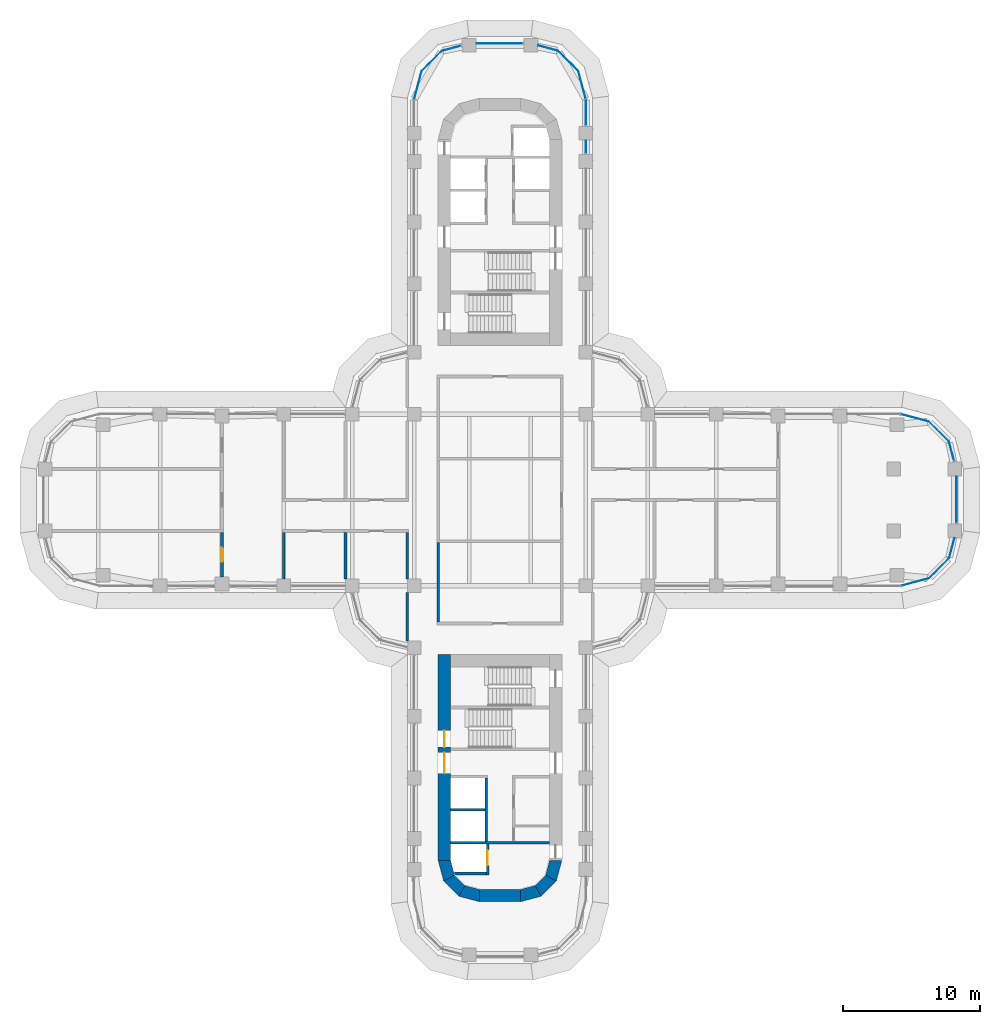
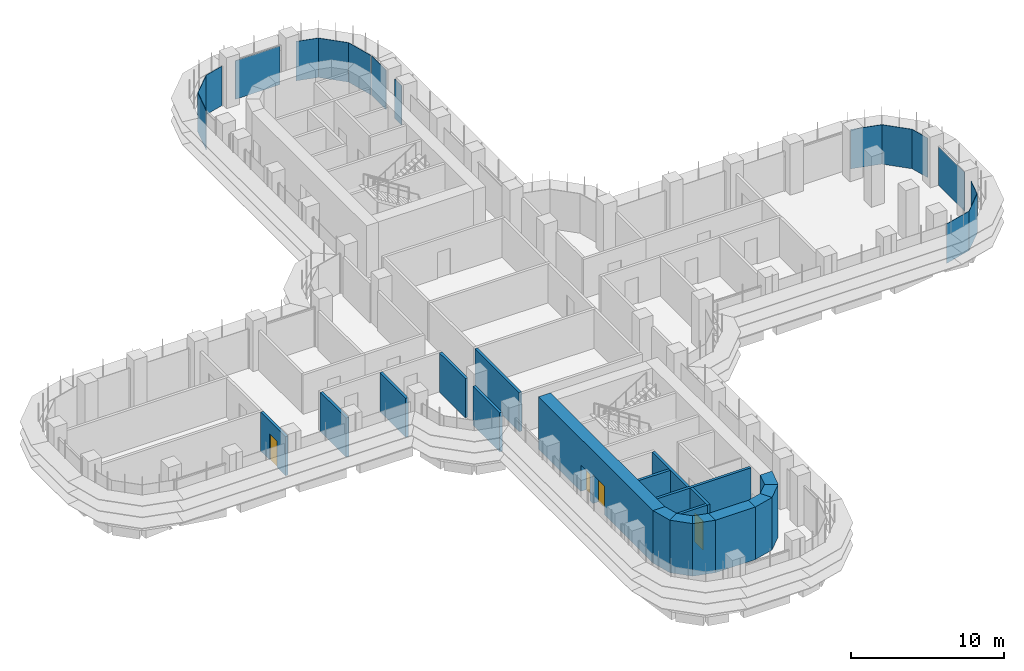
# One storey, part 16 of 23: 19 walls, 16 plates, 4 doors, 4 openings, 15 elements without a shape of their own.
"""IFC4 building model written with IfcOpenShell, lengths in metres."""

from ifc_helpers import new_model, si_unit, direction, frame, frame_2d, origin, place, context, subcontext, project, spatial, polyline, rectangle, outline, extrude, source, transform, mapped, material, layer, layer_set, type_object, element, fill, aggregate, save


model = new_model("IFC4")

# Units and contexts
model_context = context("Model", 3, precision=1e-05, world=origin(), true_north=direction((0.0, 1.0)))
body_context = subcontext(model_context, "Body", "Model", "MODEL_VIEW")
ifc_project = project(units=[si_unit("LENGTHUNIT", "METRE"), si_unit("AREAUNIT", "SQUARE_METRE"), si_unit("VOLUMEUNIT", "CUBIC_METRE"), si_unit("PLANEANGLEUNIT", "RADIAN"), si_unit("MASSUNIT", "GRAM", prefix="KILO")], contexts=[model_context])

# Site, building, storey
site_placement = place(None, origin())
site = spatial("IfcSite", under=ifc_project, at=site_placement, CompositionType="ELEMENT")
building_placement = place(site_placement, origin())
building = spatial("IfcBuilding", under=site, at=building_placement, Name="Zarbagh Exchange Tower", CompositionType="ELEMENT")
storey_placement = place(building_placement, frame((0.0, 0.0, 35.39990234375)))
storey = spatial("IfcBuildingStorey", under=building, at=storey_placement, Name="L07", CompositionType="ELEMENT", Elevation=35.39990234375)

# Curtain wall, plate
ifc_material_1 = material(Name="Anodised aluminium frame and glazing", Category="aluminium")
curtain_wall_type = type_object("IfcCurtainWallType", Name="CWA Ribbon glazing, lower zones", PredefinedType="NOTDEFINED", material=ifc_material_1)
curtain_wall_1_placement = place(storey_placement, origin())
curtain_wall_1 = element("IfcCurtainWall", 1, at=curtain_wall_1_placement, inside=storey, type_object=curtain_wall_type, Name="CWA13 curtain wall", PredefinedType="NOTDEFINED")
ifc_material_2 = material(Name="Low-e double glazed unit, 6+12+6 mm")
ifc_layer_1 = layer(ifc_material_2, 0.028076171875)
ifc_layer_set_1 = layer_set([ifc_layer_1], Name="PAA Glazing panel, Low-e double glazed unit, 6+12+6 mm")
plate_type = type_object("IfcPlateType", Name="PAA Glazing panel, Low-e double glazed unit, 6+12+6 mm", PredefinedType="CURTAIN_PANEL", material=ifc_layer_set_1)
shared_shape_1 = source(origin(), body_context, "Body", "SweptSolid", [
    extrude(outline(polyline([(0.0, -0.013916015625), (1.4423828125, -0.013916015625), (1.4423828125, 0.013916015625), (0.0, 0.013916015625), (0.0, -0.013916015625)])), origin(), (0.0, 0.0, 1.0), 3.14990234375),
])
placement = place(storey_placement, origin())
plate_1 = element("IfcPlate", 2, at=placement, type_object=plate_type, Name="CWA13 glazing panel 1.1", PredefinedType="CURTAIN_PANEL", context=body_context, shape_type="MappedRepresentation", body=[
    mapped(shared_shape_1, transform((33.072021484375, 2.847900390625, 0.0), x_axis=(-0.258824779902, 0.965924289636, 0.0), y_axis=(-0.965924289636, -0.258824779902, 0.0), z_axis=(0.0, 0.0, 1.0))),
])
aggregate(curtain_wall_1, [plate_1])

curtain_wall_2_placement = place(storey_placement, origin())
curtain_wall_2 = element("IfcCurtainWall", 3, at=curtain_wall_2_placement, inside=storey, type_object=curtain_wall_type, Name="CWA25 curtain wall", PredefinedType="NOTDEFINED")
plate_2 = element("IfcPlate", 4, at=placement, type_object=plate_type, Name="CWA25 glazing panel 1.1", PredefinedType="CURTAIN_PANEL", context=body_context, shape_type="MappedRepresentation", body=[
    mapped(shared_shape_1, transform((-2.847900390625, 33.072021484375, 0.0), x_axis=(-0.965924289636, -0.258824779902, 0.0), y_axis=(0.258824779902, -0.965924289636, 0.0), z_axis=(0.0, 0.0, 1.0))),
])
aggregate(curtain_wall_2, [plate_2])

curtain_wall_3_placement = place(storey_placement, origin())
curtain_wall_3 = element("IfcCurtainWall", 5, at=curtain_wall_3_placement, inside=storey, type_object=curtain_wall_type, Name="CWA10 curtain wall", PredefinedType="NOTDEFINED")
shared_shape_2 = source(origin(), body_context, "Body", "SweptSolid", [
    extrude(outline(polyline([(0.0, -0.013916015625), (2.061279296875, -0.013916015625), (2.061279296875, 0.013916015625), (0.0, 0.013916015625), (0.0, -0.013916015625)])), origin(), (0.0, 0.0, 1.0), 3.14990234375),
])
plate_3 = element("IfcPlate", 6, at=placement, type_object=plate_type, Name="CWA10 glazing panel 1.1", PredefinedType="CURTAIN_PANEL", context=body_context, shape_type="MappedRepresentation", body=[
    mapped(shared_shape_2, transform((31.2412109375, -5.69873046875, 0.0), x_axis=(0.707106781187, 0.707106781187, 0.0), y_axis=(-0.707106781187, 0.707106781187, 0.0), z_axis=(0.0, 0.0, 1.0))),
])
aggregate(curtain_wall_3, [plate_3])

curtain_wall_4_placement = place(storey_placement, origin())
curtain_wall_4 = element("IfcCurtainWall", 7, at=curtain_wall_4_placement, inside=storey, type_object=curtain_wall_type, Name="CWA14 curtain wall", PredefinedType="NOTDEFINED")
plate_4 = element("IfcPlate", 8, at=placement, type_object=plate_type, Name="CWA14 glazing panel 1.1", PredefinedType="CURTAIN_PANEL", context=body_context, shape_type="MappedRepresentation", body=[
    mapped(shared_shape_2, transform((32.69873046875, 4.2412109375, 0.0), x_axis=(-0.707106781187, 0.707106781187, 0.0), y_axis=(-0.707106781187, -0.707106781187, 0.0), z_axis=(0.0, 0.0, 1.0))),
])
aggregate(curtain_wall_4, [plate_4])

curtain_wall_5_placement = place(storey_placement, origin())
curtain_wall_5 = element("IfcCurtainWall", 9, at=curtain_wall_5_placement, inside=storey, type_object=curtain_wall_type, Name="CWA22 curtain wall", PredefinedType="NOTDEFINED")
plate_5 = element("IfcPlate", 10, at=placement, type_object=plate_type, Name="CWA22 glazing panel 1.1", PredefinedType="CURTAIN_PANEL", context=body_context, shape_type="MappedRepresentation", body=[
    mapped(shared_shape_2, transform((5.69873046875, 31.2412109375, 0.0), x_axis=(-0.707106781187, 0.707106781187, 0.0), y_axis=(-0.707106781187, -0.707106781187, 0.0), z_axis=(0.0, 0.0, 1.0))),
])
aggregate(curtain_wall_5, [plate_5])

curtain_wall_6_placement = place(storey_placement, origin())
curtain_wall_6 = element("IfcCurtainWall", 11, at=curtain_wall_6_placement, inside=storey, type_object=curtain_wall_type, Name="CWA26 curtain wall", PredefinedType="NOTDEFINED")
plate_6 = element("IfcPlate", 12, at=placement, type_object=plate_type, Name="CWA26 glazing panel 1.1", PredefinedType="CURTAIN_PANEL", context=body_context, shape_type="MappedRepresentation", body=[
    mapped(shared_shape_2, transform((-4.2412109375, 32.69873046875, 0.0), x_axis=(-0.707106781187, -0.707106781187, 0.0), y_axis=(0.707106781187, -0.707106781187, 0.0), z_axis=(0.0, 0.0, 1.0))),
])
aggregate(curtain_wall_6, [plate_6])

curtain_wall_7_placement = place(storey_placement, origin())
curtain_wall_7 = element("IfcCurtainWall", 13, at=curtain_wall_7_placement, inside=storey, type_object=curtain_wall_type, Name="CWA15 curtain wall", PredefinedType="NOTDEFINED")
shared_shape_3 = source(origin(), body_context, "Body", "SweptSolid", [
    extrude(outline(polyline([(0.0, -0.013916015625), (2.129638671875, -0.013916015625), (2.129638671875, 0.013916015625), (0.0, 0.013916015625), (0.0, -0.013916015625)])), origin(), (0.0, 0.0, 1.0), 3.14990234375),
])
plate_7 = element("IfcPlate", 14, at=placement, type_object=plate_type, Name="CWA15 glazing panel 1.1", PredefinedType="CURTAIN_PANEL", context=body_context, shape_type="MappedRepresentation", body=[
    mapped(shared_shape_3, transform((31.2412109375, 5.69873046875, 0.0), x_axis=(-0.965924289636, 0.258824779902, 0.0), y_axis=(-0.258824779902, -0.965924289636, 0.0), z_axis=(0.0, 0.0, 1.0))),
])
aggregate(curtain_wall_7, [plate_7])

curtain_wall_8_placement = place(storey_placement, origin())
curtain_wall_8 = element("IfcCurtainWall", 15, at=curtain_wall_8_placement, inside=storey, type_object=curtain_wall_type, Name="CWA27 curtain wall", PredefinedType="NOTDEFINED")
plate_8 = element("IfcPlate", 16, at=placement, type_object=plate_type, Name="CWA27 glazing panel 1.1", PredefinedType="CURTAIN_PANEL", context=body_context, shape_type="MappedRepresentation", body=[
    mapped(shared_shape_3, transform((-5.69873046875, 31.2412109375, 0.0), x_axis=(-0.258824779902, -0.965924289636, 0.0), y_axis=(0.965924289636, -0.258824779902, 0.0), z_axis=(0.0, 0.0, 1.0))),
])
aggregate(curtain_wall_8, [plate_8])

curtain_wall_9_placement = place(storey_placement, origin())
curtain_wall_9 = element("IfcCurtainWall", 17, at=curtain_wall_9_placement, inside=storey, type_object=curtain_wall_type, Name="CWA09 curtain wall", PredefinedType="NOTDEFINED")
shared_shape_4 = source(origin(), body_context, "Body", "SweptSolid", [
    extrude(outline(polyline([(0.0, -0.013916015625), (2.069580078125, -0.013916015625), (2.069580078125, 0.013916015625), (0.0, 0.013916015625), (0.0, -0.013916015625)])), origin(), (0.0, 0.0, 1.0), 3.14990234375),
])
plate_9 = element("IfcPlate", 18, at=placement, type_object=plate_type, Name="CWA09 glazing panel 1.1", PredefinedType="CURTAIN_PANEL", context=body_context, shape_type="MappedRepresentation", body=[
    mapped(shared_shape_4, transform((29.2421875, -6.234375, 0.0), x_axis=(0.965924289636, 0.258824779902, 0.0), y_axis=(-0.258824779902, 0.965924289636, 0.0), z_axis=(0.0, 0.0, 1.0))),
])
aggregate(curtain_wall_9, [plate_9])

curtain_wall_10_placement = place(storey_placement, origin())
curtain_wall_10 = element("IfcCurtainWall", 19, at=curtain_wall_10_placement, inside=storey, type_object=curtain_wall_type, Name="CWA21 curtain wall", PredefinedType="NOTDEFINED")
plate_10 = element("IfcPlate", 20, at=placement, type_object=plate_type, Name="CWA21 glazing panel 1.1", PredefinedType="CURTAIN_PANEL", context=body_context, shape_type="MappedRepresentation", body=[
    mapped(shared_shape_4, transform((6.234375, 29.2421875, 0.0), x_axis=(-0.258824779902, 0.965924289636, 0.0), y_axis=(-0.965924289636, -0.258824779902, 0.0), z_axis=(0.0, 0.0, 1.0))),
])
aggregate(curtain_wall_10, [plate_10])

curtain_wall_11_placement = place(storey_placement, origin())
curtain_wall_11 = element("IfcCurtainWall", 21, at=curtain_wall_11_placement, inside=storey, type_object=curtain_wall_type, Name="CWA11 curtain wall", PredefinedType="NOTDEFINED")
shared_shape_5 = source(origin(), body_context, "Body", "SweptSolid", [
    extrude(outline(polyline([(0.0, -0.013916015625), (1.50244140625, -0.013916015625), (1.50244140625, 0.013916015625), (0.0, 0.013916015625), (0.0, -0.013916015625)])), origin(), (0.0, 0.0, 1.0), 3.14990234375),
])
plate_11 = element("IfcPlate", 22, at=placement, type_object=plate_type, Name="CWA11 glazing panel 1.1", PredefinedType="CURTAIN_PANEL", context=body_context, shape_type="MappedRepresentation", body=[
    mapped(shared_shape_5, transform((32.69873046875, -4.2412109375, 0.0), x_axis=(0.258824779902, 0.965924289636, 0.0), y_axis=(-0.965924289636, 0.258824779902, 0.0), z_axis=(0.0, 0.0, 1.0))),
])
aggregate(curtain_wall_11, [plate_11])

curtain_wall_12_placement = place(storey_placement, origin())
curtain_wall_12 = element("IfcCurtainWall", 23, at=curtain_wall_12_placement, inside=storey, type_object=curtain_wall_type, Name="CWA23 curtain wall", PredefinedType="NOTDEFINED")
plate_12 = element("IfcPlate", 24, at=placement, type_object=plate_type, Name="CWA23 glazing panel 1.1", PredefinedType="CURTAIN_PANEL", context=body_context, shape_type="MappedRepresentation", body=[
    mapped(shared_shape_5, transform((4.2412109375, 32.69873046875, 0.0), x_axis=(-0.965924289636, 0.258824779902, 0.0), y_axis=(-0.258824779902, -0.965924289636, 0.0), z_axis=(0.0, 0.0, 1.0))),
])
aggregate(curtain_wall_12, [plate_12])

curtain_wall_13_placement = place(storey_placement, origin())
curtain_wall_13 = element("IfcCurtainWall", 25, at=curtain_wall_13_placement, inside=storey, type_object=curtain_wall_type, Name="CWA12 curtain wall", PredefinedType="NOTDEFINED")
shared_shape_6 = source(origin(), body_context, "Body", "SweptSolid", [
    extrude(outline(polyline([(0.0, -0.013916015625), (3.360107421875, -0.013916015625), (3.360107421875, 0.013916015625), (0.0, 0.013916015625), (0.0, -0.013916015625)])), origin(), (0.0, 0.0, 1.0), 3.090087890625),
])
plate_13 = element("IfcPlate", 26, at=placement, type_object=plate_type, Name="CWA12 glazing panel 1.1", PredefinedType="CURTAIN_PANEL", context=body_context, shape_type="MappedRepresentation", body=[
    mapped(shared_shape_6, transform((33.25, -1.64990234375, 0.0), x_axis=(0.0, 1.0, 0.0), y_axis=(-1.0, 0.0, 0.0), z_axis=(0.0, 0.0, 1.0))),
])
aggregate(curtain_wall_13, [plate_13])

curtain_wall_14_placement = place(storey_placement, origin())
curtain_wall_14 = element("IfcCurtainWall", 27, at=curtain_wall_14_placement, inside=storey, type_object=curtain_wall_type, Name="CWA24 curtain wall", PredefinedType="NOTDEFINED")
plate_14 = element("IfcPlate", 28, at=placement, type_object=plate_type, Name="CWA24 glazing panel 1.1", PredefinedType="CURTAIN_PANEL", context=body_context, shape_type="MappedRepresentation", body=[
    mapped(shared_shape_6, transform((1.64990234375, 33.25, 0.0), x_axis=(-1.0, 0.0, 0.0), y_axis=(0.0, -1.0, 0.0), z_axis=(0.0, 0.0, 1.0))),
])
aggregate(curtain_wall_14, [plate_14])

# Curtain wall, plates
curtain_wall_15_placement = place(storey_placement, origin())
curtain_wall_15 = element("IfcCurtainWall", 29, at=curtain_wall_15_placement, inside=storey, type_object=curtain_wall_type, Name="CWA20 curtain wall", PredefinedType="NOTDEFINED")
shared_shape_7 = source(origin(), body_context, "Body", "SweptSolid", [
    extrude(outline(polyline([(0.0, -0.013916015625), (0.909912109375, -0.013916015625), (0.909912109375, 0.013916015625), (0.0, 0.013916015625), (0.0, -0.013916015625)])), origin(), (0.0, 0.0, 1.0), 3.14990234375),
])
plate_15 = element("IfcPlate", 30, at=placement, type_object=plate_type, Name="CWA20 glazing panel 4.1", PredefinedType="CURTAIN_PANEL", context=body_context, shape_type="MappedRepresentation", body=[
    mapped(shared_shape_7, transform((6.25, 25.25, 0.0), x_axis=(0.0, 1.0, 0.0), y_axis=(-1.0, 0.0, 0.0), z_axis=(0.0, 0.0, 1.0))),
])
shared_shape_8 = source(origin(), body_context, "Body", "SweptSolid", [
    extrude(outline(polyline([(0.0, -0.013916015625), (1.884033203125, -0.013916015625), (1.884033203125, 0.013916015625), (0.0, 0.013916015625), (0.0, -0.013916015625)])), origin(), (0.0, 0.0, 1.0), 3.14990234375),
])
plate_16 = element("IfcPlate", 31, at=placement, type_object=plate_type, Name="CWA20 glazing panel 5.1", PredefinedType="CURTAIN_PANEL", context=body_context, shape_type="MappedRepresentation", body=[
    mapped(shared_shape_8, transform((6.25, 27.300048828125, 0.0), x_axis=(0.0, 1.0, 0.0), y_axis=(-1.0, 0.0, 0.0), z_axis=(0.0, 0.0, 1.0))),
])
aggregate(curtain_wall_15, [plate_15, plate_16])

# Walls
ifc_material_3 = material(Name="Fire-rated plasterboard partition")
ifc_layer_2 = layer(ifc_material_3, 0.199951171875)
ifc_layer_set_2 = layer_set([ifc_layer_2], Name="RATED PARTITION 200")
wall_type_1 = type_object("IfcWallType", Name="RATED PARTITION 200", PredefinedType="PARTITIONING", material=ifc_layer_set_2)
wall_1_placement = place(storey_placement, frame((-4.5, -8.89990234375, 0.0), z_axis=(0.0, 0.0, 1.0), x_axis=(0.0, 1.0, 0.0)))
element("IfcWall", 32, at=wall_1_placement, inside=storey, type_object=wall_type_1, Name="Partition W-203", PredefinedType="PARTITIONING", context=body_context, shape_type="SweptSolid", body=[
    extrude(rectangle(XDim=5.7998046875, YDim=0.199951171875, at=frame_2d((2.89990234375, 0.0))), origin(), (0.0, 0.0, 1.0), 3.130615234375),
])
wall_2_placement = place(storey_placement, frame((-6.75, -10.25, 0.0), z_axis=(0.0, 0.0, 1.0), x_axis=(0.0, 1.0, 0.0)))
element("IfcWall", 33, at=wall_2_placement, inside=storey, type_object=wall_type_1, Name="Partition W-206", PredefinedType="PARTITIONING", context=body_context, shape_type="SweptSolid", body=[
    extrude(rectangle(XDim=3.5, YDim=0.199951171875, at=frame_2d((1.75, 0.0))), origin(), (0.0, 0.0, 1.0), 3.130615234375),
])
for number, where, z_axis, x_axis, name in (
    (34, (-6.75, -5.75, 0.0), (0.0, 0.0, 1.0), (0.0, 1.0, 0.0), "Partition W-207"),
    (35, (-11.25, -5.75, 0.0), (0.0, 0.0, 1.0), (0.0, 1.0, 0.0), "Partition W-235"),
    (36, (-15.75, -5.75, 0.0), (0.0, 0.0, 1.0), (0.0, 1.0, 0.0), "Partition W-237"),
):
    element("IfcWall", number, at=place(storey_placement, frame(where, z_axis=z_axis, x_axis=x_axis)), inside=storey, type_object=wall_type_1, Name=name, PredefinedType="PARTITIONING", context=body_context, shape_type="SweptSolid", body=[
        extrude(rectangle(XDim=3.39990234375, YDim=0.199951171875, at=frame_2d((1.699951171875, 0.0))), origin(), (0.0, 0.0, 1.0), 3.130615234375),
    ])

# Wall, opening, door
wall_3_placement = place(storey_placement, frame((-20.25, -5.610107421875, 0.0), z_axis=(0.0, 0.0, 1.0), x_axis=(0.0, 1.0, 0.0)))
wall_3 = element("IfcWall", 37, at=wall_3_placement, inside=storey, type_object=wall_type_1, Name="Partition W-238", PredefinedType="PARTITIONING", context=body_context, shape_type="SweptSolid", body=[
    extrude(rectangle(XDim=3.260009765625, YDim=0.199951171875, at=frame_2d((1.6298828125, 0.0))), origin(), (0.0, 0.0, 1.0), 3.130615234375),
])
opening_1_placement = place(wall_3_placement, frame((1.1298828125, 0.0, 0.0)))
opening_1 = element("IfcOpeningElement", 38, at=opening_1_placement, cuts=wall_3, Name="Opening D-214", PredefinedType="OPENING", context=body_context, shape_type="SweptSolid", body=[
    extrude(rectangle(XDim=1.0, YDim=2.10009765625, at=frame_2d((0.5, 1.050048828125))), frame((0.0, 0.10986328125, 0.0), z_axis=(0.0, -1.0, 0.0), x_axis=(1.0, 0.0, 0.0)), (0.0, 0.0, 1.0), 0.219970703125),
])
ifc_material_4 = material(Name="Steel door set", Category="steel")
door_type_1 = type_object("IfcDoorType", Name="FIRE DOOR 1000 X 2100 FD30S", OperationType="NOTDEFINED", PredefinedType="DOOR", material=ifc_material_4)
door_1_placement = place(opening_1_placement, origin())
door_1 = element("IfcDoor", 39, at=door_1_placement, inside=storey, type_object=door_type_1, Name="Door D-214", OperationType="SINGLE_SWING_LEFT", OverallHeight=2.10009765625, OverallWidth=1.0, PredefinedType="DOOR", context=body_context, shape_type="SweptSolid", body=[
    extrude(rectangle(XDim=1.0, YDim=2.10009765625, at=frame_2d((0.5, 1.050048828125))), frame((0.0, 0.02490234375, 0.0), z_axis=(0.0, -1.0, 0.0), x_axis=(1.0, 0.0, 0.0)), (0.0, 0.0, 1.0), 0.050048828125),
])
fill(opening_1, door_1)

# Walls
ifc_material_5 = material(Name="Concrete C60/75", Category="concrete")
ifc_layer_3 = layer(ifc_material_5, 0.89990234375)
ifc_layer_set_3 = layer_set([ifc_layer_3], Name="RC core corner wall 900 C60/75")
wall_type_2 = type_object("IfcWallType", Name="RC core corner wall 900 C60/75", PredefinedType="SHEAR", material=ifc_layer_set_3)
wall_4_placement = place(storey_placement, origin())
element("IfcWall", 40, at=wall_4_placement, inside=storey, type_object=wall_type_2, Name="CW2 core S corner W", PredefinedType="SHEAR", context=body_context, shape_type="SweptSolid", body=[
    extrude(outline(polyline([(-4.5, -26.25), (-4.09814453125, -27.75), (-3.318603515625, -27.300048828125), (-3.60009765625, -26.25), (-4.5, -26.25)])), origin(), (0.0, 0.0, 1.0), 4.2001953125),
])
wall_5_placement = place(storey_placement, origin())
element("IfcWall", 41, at=wall_5_placement, inside=storey, type_object=wall_type_2, Name="CW2 core S corner W", PredefinedType="SHEAR", context=body_context, shape_type="SweptSolid", body=[
    extrude(outline(polyline([(-4.09814453125, -27.75), (-3.0, -28.84814453125), (-2.550048828125, -28.068603515625), (-3.318603515625, -27.300048828125), (-4.09814453125, -27.75)])), origin(), (0.0, 0.0, 1.0), 4.2001953125),
])
wall_6_placement = place(storey_placement, origin())
element("IfcWall", 42, at=wall_6_placement, inside=storey, type_object=wall_type_2, Name="CW2 core S corner W", PredefinedType="SHEAR", context=body_context, shape_type="SweptSolid", body=[
    extrude(outline(polyline([(-3.0, -28.84814453125), (-1.5, -29.25), (-1.5, -28.35009765625), (-2.550048828125, -28.068603515625), (-3.0, -28.84814453125)])), origin(), (0.0, 0.0, 1.0), 4.2001953125),
])
wall_7_placement = place(storey_placement, origin())
element("IfcWall", 43, at=wall_7_placement, inside=storey, type_object=wall_type_2, Name="CW2 core S corner E", PredefinedType="SHEAR", context=body_context, shape_type="SweptSolid", body=[
    extrude(outline(polyline([(4.5, -26.25), (4.09814453125, -27.75), (3.318603515625, -27.300048828125), (3.60009765625, -26.25), (4.5, -26.25)])), origin(), (0.0, 0.0, 1.0), 4.2001953125),
])
wall_8_placement = place(storey_placement, origin())
element("IfcWall", 44, at=wall_8_placement, inside=storey, type_object=wall_type_2, Name="CW2 core S corner E", PredefinedType="SHEAR", context=body_context, shape_type="SweptSolid", body=[
    extrude(outline(polyline([(4.09814453125, -27.75), (3.0, -28.84814453125), (2.550048828125, -28.068603515625), (3.318603515625, -27.300048828125), (4.09814453125, -27.75)])), origin(), (0.0, 0.0, 1.0), 4.2001953125),
])
wall_9_placement = place(storey_placement, origin())
element("IfcWall", 45, at=wall_9_placement, inside=storey, type_object=wall_type_2, Name="CW2 core S corner E", PredefinedType="SHEAR", context=body_context, shape_type="SweptSolid", body=[
    extrude(outline(polyline([(3.0, -28.84814453125), (1.5, -29.25), (1.5, -28.35009765625), (2.550048828125, -28.068603515625), (3.0, -28.84814453125)])), origin(), (0.0, 0.0, 1.0), 4.2001953125),
])

# Wall, openings, doors
ifc_layer_4 = layer(ifc_material_5, 0.89990234375)
ifc_layer_set_4 = layer_set([ifc_layer_4], Name="RC core wall 900 C60/75")
wall_type_3 = type_object("IfcWallType", Name="RC core wall 900 C60/75", PredefinedType="SHEAR", material=ifc_layer_set_4)
wall_10_placement = place(storey_placement, frame((-4.050048828125, -11.25, 0.0), z_axis=(0.0, 0.0, 1.0), x_axis=(0.0, -1.0, 0.0)))
wall_10 = element("IfcWall", 46, at=wall_10_placement, inside=storey, type_object=wall_type_3, Name="CW1 core S W", PredefinedType="SHEAR", context=body_context, shape_type="SweptSolid", body=[
    extrude(rectangle(XDim=15.0, YDim=0.89990234375, at=frame_2d((7.5, 0.0))), origin(), (0.0, 0.0, 1.0), 4.2001953125),
])
opening_2_placement = place(wall_10_placement, frame((7.14990234375, 0.0, 0.0)))
opening_2 = element("IfcOpeningElement", 47, at=opening_2_placement, cuts=wall_10, Name="Opening CD1-1500", PredefinedType="OPENING", context=body_context, shape_type="SweptSolid", body=[
    extrude(rectangle(XDim=1.5, YDim=2.300048828125, at=frame_2d((0.75, 1.14990234375))), frame((0.0, 0.4599609375, 0.0), z_axis=(0.0, -1.0, 0.0), x_axis=(1.0, 0.0, 0.0)), (0.0, 0.0, 1.0), 0.919921875),
])
opening_3_placement = place(wall_10_placement, frame((5.550048828125, 0.0, 0.0)))
opening_3 = element("IfcOpeningElement", 48, at=opening_3_placement, cuts=wall_10, Name="Opening SD1-1200", PredefinedType="OPENING", context=body_context, shape_type="SweptSolid", body=[
    extrude(rectangle(XDim=1.199951171875, YDim=2.10009765625, at=frame_2d((0.60009765625, 1.050048828125))), frame((0.0, 0.4599609375, 0.0), z_axis=(0.0, -1.0, 0.0), x_axis=(1.0, 0.0, 0.0)), (0.0, 0.0, 1.0), 0.919921875),
])
ifc_material_6 = material(Name="Steel", Category="steel")
door_type_2 = type_object("IfcDoorType", Name="Exit stair door 1200 x 2100", OperationType="NOTDEFINED", PredefinedType="DOOR", material=ifc_material_6)
door_2_placement = place(opening_3_placement, origin())
door_2 = element("IfcDoor", 49, at=door_2_placement, inside=storey, type_object=door_type_2, Name="South core stair door ST1", OperationType="SINGLE_SWING_LEFT", OverallHeight=2.10009765625, OverallWidth=1.199951171875, PredefinedType="DOOR", context=body_context, shape_type="SweptSolid", body=[
    extrude(rectangle(XDim=1.199951171875, YDim=2.10009765625, at=frame_2d((0.60009765625, 1.050048828125))), frame((0.0, 0.02490234375, 0.0), z_axis=(0.0, -1.0, 0.0), x_axis=(1.0, 0.0, 0.0)), (0.0, 0.0, 1.0), 0.050048828125),
])
fill(opening_3, door_2)
door_type_3 = type_object("IfcDoorType", Name="Lift lobby double door 1500 x 2300", OperationType="NOTDEFINED", PredefinedType="DOOR", material=ifc_material_6)
door_3_placement = place(opening_2_placement, origin())
door_3 = element("IfcDoor", 50, at=door_3_placement, inside=storey, type_object=door_type_3, Name="South core lift lobby door LOBBY-E", OperationType="DOUBLE_DOOR_SINGLE_SWING", OverallHeight=2.300048828125, OverallWidth=1.5, PredefinedType="DOOR", context=body_context, shape_type="SweptSolid", body=[
    extrude(rectangle(XDim=1.5, YDim=2.300048828125, at=frame_2d((0.75, 1.14990234375))), frame((0.0, 0.02490234375, 0.0), z_axis=(0.0, -1.0, 0.0), x_axis=(1.0, 0.0, 0.0)), (0.0, 0.0, 1.0), 0.050048828125),
])
fill(opening_2, door_3)

# Walls
wall_11_placement = place(storey_placement, frame((-1.5, -28.800048828125, 0.0), z_axis=(0.0, 0.0, 1.0), x_axis=(1.0, 0.0, 0.0)))
element("IfcWall", 51, at=wall_11_placement, inside=storey, type_object=wall_type_3, Name="CW1 core S outer end", PredefinedType="SHEAR", context=body_context, shape_type="SweptSolid", body=[
    extrude(rectangle(XDim=3.0, YDim=0.89990234375, at=frame_2d((1.5, 0.0))), origin(), (0.0, 0.0, 1.0), 4.2001953125),
])
ifc_material_7 = material(Name="Dense blockwork", Category="masonry")
ifc_layer_5 = layer(ifc_material_7, 0.199951171875)
ifc_layer_set_5 = layer_set([ifc_layer_5], Name="Shaft wall 200 mm blockwork")
wall_type_4 = type_object("IfcWallType", Name="Shaft wall 200 mm blockwork", PredefinedType="PARTITIONING", material=ifc_layer_set_5)
wall_12_placement = place(storey_placement, frame((-1.0, -24.85009765625, 0.0), z_axis=(0.0, 0.0, 1.0), x_axis=(0.0, 1.0, 0.0)))
element("IfcWall", 52, at=wall_12_placement, inside=storey, type_object=wall_type_4, Name="South core shaft wall LW-E", PredefinedType="PARTITIONING", context=body_context, shape_type="SweptSolid", body=[
    extrude(rectangle(XDim=4.60009765625, YDim=0.199951171875, at=frame_2d((2.300048828125, 0.0))), origin(), (0.0, 0.0, 1.0), 4.050048828125),
])
wall_13_placement = place(storey_placement, frame((-1.10009765625, -22.550048828125, 0.0), z_axis=(0.0, 0.0, 1.0), x_axis=(-1.0, 0.0, 0.0)))
element("IfcWall", 53, at=wall_13_placement, inside=storey, type_object=wall_type_4, Name="South core shaft wall TR-E", PredefinedType="PARTITIONING", context=body_context, shape_type="SweptSolid", body=[
    extrude(rectangle(XDim=2.5, YDim=0.199951171875, at=frame_2d((1.25, 0.0))), origin(), (0.0, 0.0, 1.0), 4.050048828125),
])
ifc_material_8 = material(Name="Concrete C40/50", Category="concrete")
ifc_layer_6 = layer(ifc_material_8, 0.199951171875)
ifc_layer_set_6 = layer_set([ifc_layer_6], Name="Stair enclosure wall 200 mm RC C40/50")
wall_type_5 = type_object("IfcWallType", Name="Stair enclosure wall 200 mm RC C40/50", PredefinedType="SHEAR", material=ifc_layer_set_6)
wall_14_placement = place(storey_placement, frame((3.60009765625, -24.949951171875, 0.0), z_axis=(0.0, 0.0, 1.0), x_axis=(-1.0, 0.0, 0.0)))
element("IfcWall", 54, at=wall_14_placement, inside=storey, type_object=wall_type_5, Name="South core lift shaft wall FFA", PredefinedType="SHEAR", context=body_context, shape_type="SweptSolid", body=[
    extrude(rectangle(XDim=7.2001953125, YDim=0.199951171875, at=frame_2d((3.60009765625, 0.0))), origin(), (0.0, 0.0, 1.0), 4.050048828125),
])

# Wall, opening, door
wall_15_placement = place(storey_placement, frame((-0.89990234375, -27.300048828125, 0.0), z_axis=(0.0, 0.0, 1.0), x_axis=(0.0, 1.0, 0.0)))
wall_15 = element("IfcWall", 55, at=wall_15_placement, inside=storey, type_object=wall_type_5, Name="South core lift shaft wall FFL", PredefinedType="SHEAR", context=body_context, shape_type="SweptSolid", body=[
    extrude(rectangle(XDim=2.25, YDim=0.199951171875, at=frame_2d((1.125, 0.0))), origin(), (0.0, 0.0, 1.0), 4.050048828125),
])
opening_4_placement = place(wall_15_placement, frame((0.699951171875, 0.0, 0.0)))
opening_4 = element("IfcOpeningElement", 56, at=opening_4_placement, cuts=wall_15, Name="Opening LD-1100", PredefinedType="OPENING", context=body_context, shape_type="SweptSolid", body=[
    extrude(rectangle(XDim=1.10009765625, YDim=2.300048828125, at=frame_2d((0.550048828125, 1.14990234375))), frame((0.0, 0.10986328125, 0.0), z_axis=(0.0, -1.0, 0.0), x_axis=(1.0, 0.0, 0.0)), (0.0, 0.0, 1.0), 0.219970703125),
])
ifc_material_9 = material(Name="Stainless steel", Category="steel")
door_type_4 = type_object("IfcDoorType", Name="Lift landing door 1100 x 2300", OperationType="NOTDEFINED", PredefinedType="DOOR", material=ifc_material_9)
door_4_placement = place(opening_4_placement, origin())
door_4 = element("IfcDoor", 57, at=door_4_placement, inside=storey, type_object=door_type_4, Name="South core lift landing door LD-F", OperationType="DOUBLE_DOOR_SLIDING", OverallHeight=2.300048828125, OverallWidth=1.10009765625, PredefinedType="DOOR", context=body_context, shape_type="SweptSolid", body=[
    extrude(rectangle(XDim=1.10009765625, YDim=2.300048828125, at=frame_2d((0.550048828125, 1.14990234375))), frame((0.0, 0.02490234375, 0.0), z_axis=(0.0, -1.0, 0.0), x_axis=(1.0, 0.0, 0.0)), (0.0, 0.0, 1.0), 0.050048828125),
])
fill(opening_4, door_4)

# Wall
wall_16_placement = place(storey_placement, origin())
element("IfcWall", 58, at=wall_16_placement, inside=storey, type_object=wall_type_5, Name="South core lift shaft wall FFX", PredefinedType="SHEAR", context=body_context, shape_type="SweptSolid", body=[
    extrude(outline(polyline([(-1.0, -27.10009765625), (-3.340576171875, -27.10009765625), (-3.291259765625, -27.2841796875), (-3.275390625, -27.300048828125), (-1.0, -27.300048828125), (-1.0, -27.10009765625)])), origin(), (0.0, 0.0, 1.0), 4.050048828125),
])

save(model, "model.ifc")
